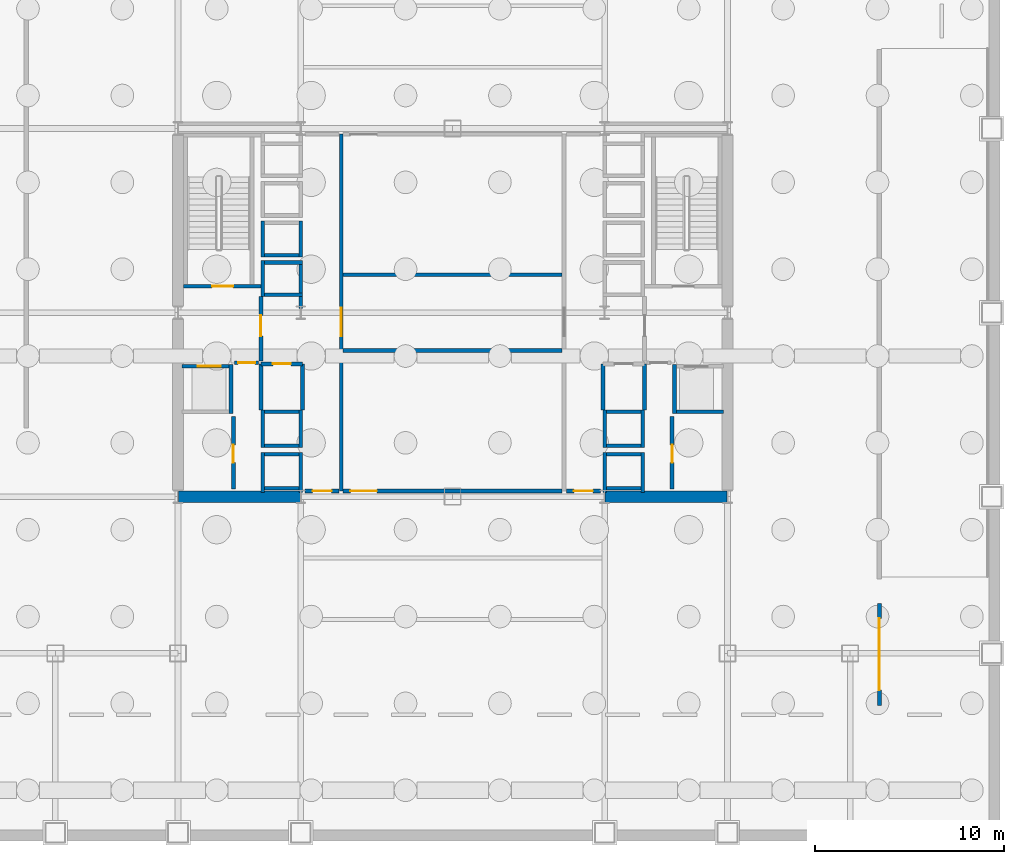
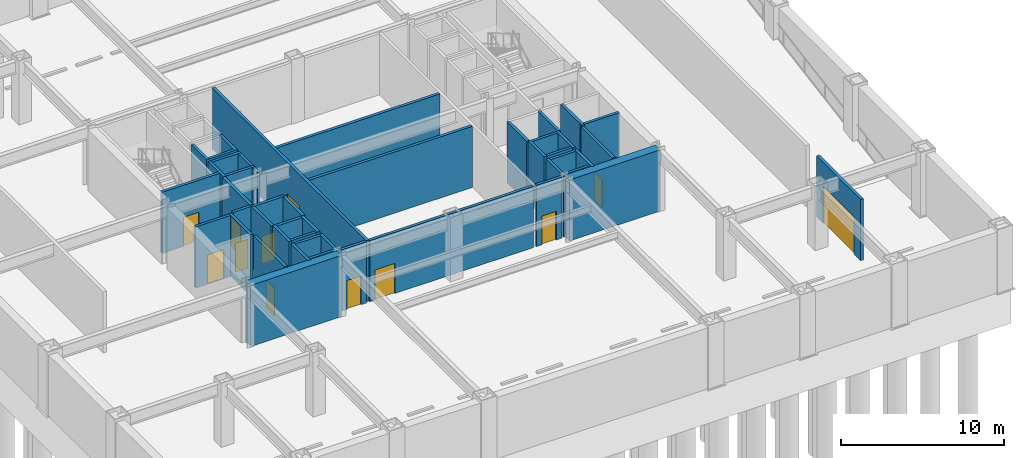
# One storey, part 3 of 8: 46 walls, 12 doors, 12 openings.
"""IFC4 building model written with IfcOpenShell, lengths in metres."""

from ifc_helpers import new_model, si_unit, direction, frame, frame_2d, origin, place, context, subcontext, project, spatial, rectangle, extrude, material, layer, layer_set, type_object, element, fill, save


model = new_model("IFC4")

# Units and contexts
model_context = context("Model", 3, precision=1e-05, world=origin(), true_north=direction((0.0, 1.0)))
body_context = subcontext(model_context, "Body", "Model", "MODEL_VIEW")
ifc_project = project(units=[si_unit("LENGTHUNIT", "METRE"), si_unit("AREAUNIT", "SQUARE_METRE"), si_unit("VOLUMEUNIT", "CUBIC_METRE"), si_unit("PLANEANGLEUNIT", "RADIAN"), si_unit("MASSUNIT", "GRAM", prefix="KILO")], contexts=[model_context])

# Site, building, storey
site_placement = place(None, origin())
site = spatial("IfcSite", under=ifc_project, at=site_placement, CompositionType="ELEMENT")
building_placement = place(site_placement, origin())
building = spatial("IfcBuilding", under=site, at=building_placement, Name="Brelmoor Portico Tower", CompositionType="ELEMENT")
storey_placement = place(building_placement, frame((0.0, 0.0, -9.60009765625)))
storey = spatial("IfcBuildingStorey", under=building, at=storey_placement, Name="B2", CompositionType="ELEMENT", Elevation=-9.60009765625)

# Walls
ifc_material_1 = material(Name="Concrete C60", Category="concrete")
ifc_layer_1 = layer(ifc_material_1, 0.60009765625)
ifc_layer_set_1 = layer_set([ifc_layer_1], Name="Concrete C60")
wall_type_1 = type_object("IfcWallType", Name="WL-CORE-600", PredefinedType="SHEAR", material=ifc_layer_set_1)
for number, where, z_axis, x_axis, name in (
    (1, (-14.530029296875, -9.75, 0.0), (0.0, 0.0, 1.0), (1.0, 0.0, 0.0), "B2 WC South Shear Wall"),
    (2, (8.070068359375, -9.75, 0.0), (0.0, 0.0, 1.0), (1.0, 0.0, 0.0), "B2 EC South Shear Wall"),
):
    element("IfcWall", number, at=place(storey_placement, frame(where, z_axis=z_axis, x_axis=x_axis)), inside=storey, type_object=wall_type_1, Name=name, PredefinedType="SHEAR", context=body_context, shape_type="SweptSolid", body=[
        extrude(rectangle(XDim=6.4599609375, YDim=0.60009765625, at=frame_2d((3.22998046875, 0.0))), origin(), (0.0, 0.0, 1.0), 4.580078125),
    ])

# Wall, opening, door
ifc_material_2 = material(Name="Double-Stud Gypsum Fire Partition", Category="gypsum")
ifc_layer_2 = layer(ifc_material_2, 0.199951171875)
ifc_layer_set_2 = layer_set([ifc_layer_2], Name="Double-Stud Gypsum Fire Partition")
wall_type_2 = type_object("IfcWallType", Name="WL-PART-200", PredefinedType="PARTITIONING", material=ifc_layer_set_2)
wall_1_placement = place(storey_placement, frame((-5.89990234375, -9.449951171875, 0.0), z_axis=(0.0, 0.0, 1.0), x_axis=(0.0, 1.0, 0.0)))
wall_1 = element("IfcWall", 3, at=wall_1_placement, inside=storey, type_object=wall_type_2, Name="B2 W Core Lobby Compartment Wall", PredefinedType="PARTITIONING", context=body_context, shape_type="SweptSolid", body=[
    extrude(rectangle(XDim=18.89990234375, YDim=0.199951171875, at=frame_2d((9.449951171875, 0.0))), origin(), (0.0, 0.0, 1.0), 4.580078125),
])
opening_1_placement = place(wall_1_placement, frame((8.199951171875, 0.0, 0.0)))
opening_1 = element("IfcOpeningElement", 4, at=opening_1_placement, cuts=wall_1, Name="Opening D-LB1", PredefinedType="OPENING", context=body_context, shape_type="SweptSolid", body=[
    extrude(rectangle(XDim=1.5, YDim=2.199951171875, at=frame_2d((0.75, 1.10009765625))), frame((0.0, 0.10986328125, 0.0), z_axis=(0.0, -1.0, 0.0), x_axis=(1.0, 0.0, 0.0)), (0.0, 0.0, 1.0), 0.219970703125),
])
ifc_material_3 = material(Name="Double-Leaf Glazed Steel Fire Door", Category="steel")
door_type_1 = type_object("IfcDoorType", Name="DR-LOBBY-1500", OperationType="NOTDEFINED", PredefinedType="DOOR", material=ifc_material_3)
door_1_placement = place(opening_1_placement, origin())
door_1 = element("IfcDoor", 5, at=door_1_placement, inside=storey, type_object=door_type_1, Name="D-0014 B2 W Lift Lobby Main Door", OperationType="DOUBLE_DOOR_SINGLE_SWING", OverallHeight=2.199951171875, OverallWidth=1.5, PredefinedType="DOOR", context=body_context, shape_type="SweptSolid", body=[
    extrude(rectangle(XDim=1.5, YDim=2.199951171875, at=frame_2d((0.75, 1.10009765625))), frame((0.0, 0.02490234375, 0.0), z_axis=(0.0, -1.0, 0.0), x_axis=(1.0, 0.0, 0.0)), (0.0, 0.0, 1.0), 0.050048828125),
])
fill(opening_1, door_1)

wall_2_placement = place(storey_placement, frame((-10.159912109375, -2.550048828125, 0.0), z_axis=(0.0, 0.0, 1.0), x_axis=(0.0, 1.0, 0.0)))
wall_2 = element("IfcWall", 6, at=wall_2_placement, inside=storey, type_object=wall_type_2, Name="B2 W Firefighting Lobby Wall", PredefinedType="PARTITIONING", context=body_context, shape_type="SweptSolid", body=[
    extrude(rectangle(XDim=3.400146484375, YDim=0.199951171875, at=frame_2d((1.7001953125, 0.0))), origin(), (0.0, 0.0, 1.0), 4.580078125),
])
opening_2_placement = place(wall_2_placement, frame((1.300048828125, 0.0, 0.0)))
opening_2 = element("IfcOpeningElement", 7, at=opening_2_placement, cuts=wall_2, Name="Opening D-FR1", PredefinedType="OPENING", context=body_context, shape_type="SweptSolid", body=[
    extrude(rectangle(XDim=1.10009765625, YDim=2.14990234375, at=frame_2d((0.550048828125, 1.074951171875))), frame((0.0, 0.10986328125, 0.0), z_axis=(0.0, -1.0, 0.0), x_axis=(1.0, 0.0, 0.0)), (0.0, 0.0, 1.0), 0.219970703125),
])
ifc_material_4 = material(Name="Painted Galvanised Steel Fire Door", Category="steel")
door_type_2 = type_object("IfcDoorType", Name="DR-FIRE-1100", OperationType="NOTDEFINED", PredefinedType="DOOR", material=ifc_material_4)
door_2_placement = place(opening_2_placement, origin())
door_2 = element("IfcDoor", 8, at=door_2_placement, inside=storey, type_object=door_type_2, Name="D-0010 B2 W Firefighting Lobby Door", OperationType="SINGLE_SWING_RIGHT", OverallHeight=2.14990234375, OverallWidth=1.10009765625, PredefinedType="DOOR", context=body_context, shape_type="SweptSolid", body=[
    extrude(rectangle(XDim=1.10009765625, YDim=2.14990234375, at=frame_2d((0.550048828125, 1.074951171875))), frame((0.0, 0.02490234375, 0.0), z_axis=(0.0, -1.0, 0.0), x_axis=(1.0, 0.0, 0.0)), (0.0, 0.0, 1.0), 0.050048828125),
])
fill(opening_2, door_2)

wall_3_placement = place(storey_placement, frame((-10.280029296875, -2.64990234375, 0.0), z_axis=(0.0, 0.0, 1.0), x_axis=(-1.0, 0.0, 0.0)))
wall_3 = element("IfcWall", 9, at=wall_3_placement, inside=storey, type_object=wall_type_2, Name="B2 W Firefighting Lobby South Wall", PredefinedType="PARTITIONING", context=body_context, shape_type="SweptSolid", body=[
    extrude(rectangle(XDim=1.27001953125, YDim=0.199951171875, at=frame_2d((0.635009765625, 0.0))), origin(), (0.0, 0.0, 1.0), 4.580078125),
])
opening_3_placement = place(wall_3_placement, frame((0.18505859375, 0.0, 0.0)))
opening_3 = element("IfcOpeningElement", 10, at=opening_3_placement, cuts=wall_3, Name="Opening D-IN1", PredefinedType="OPENING", context=body_context, shape_type="SweptSolid", body=[
    extrude(rectangle(XDim=0.89990234375, YDim=2.14990234375, at=frame_2d((0.449951171875, 1.074951171875))), frame((0.0, 0.10986328125, 0.0), z_axis=(0.0, -1.0, 0.0), x_axis=(1.0, 0.0, 0.0)), (0.0, 0.0, 1.0), 0.219970703125),
])
ifc_material_5 = material(Name="Lacquered Timber Suite Door", Category="wood")
door_type_3 = type_object("IfcDoorType", Name="DR-INT-900", OperationType="NOTDEFINED", PredefinedType="DOOR", material=ifc_material_5)
door_3_placement = place(opening_3_placement, origin())
door_3 = element("IfcDoor", 11, at=door_3_placement, inside=storey, type_object=door_type_3, Name="D-0006 B2 W Core Service Vestibule Door", OperationType="SINGLE_SWING_LEFT", OverallHeight=2.14990234375, OverallWidth=0.89990234375, PredefinedType="DOOR", context=body_context, shape_type="SweptSolid", body=[
    extrude(rectangle(XDim=0.89990234375, YDim=2.14990234375, at=frame_2d((0.449951171875, 1.074951171875))), frame((0.0, 0.02490234375, 0.0), z_axis=(0.0, -1.0, 0.0), x_axis=(1.0, 0.0, 0.0)), (0.0, 0.0, 1.0), 0.050048828125),
])
fill(opening_3, door_3)

wall_4_placement = place(storey_placement, frame((-7.9599609375, -2.719970703125, 0.0), z_axis=(0.0, 0.0, 1.0), x_axis=(-1.0, 0.0, 0.0)))
wall_4 = element("IfcWall", 12, at=wall_4_placement, inside=storey, type_object=wall_type_2, Name="B2 W Electrical Switchgear Closet Wall", PredefinedType="PARTITIONING", context=body_context, shape_type="SweptSolid", body=[
    extrude(rectangle(XDim=2.199951171875, YDim=0.199951171875, at=frame_2d((1.10009765625, 0.0))), origin(), (0.0, 0.0, 1.0), 4.580078125),
])
opening_4_placement = place(wall_4_placement, frame((0.6201171875, 0.0, 0.0)))
opening_4 = element("IfcOpeningElement", 13, at=opening_4_placement, cuts=wall_4, Name="Opening D-FR4", PredefinedType="OPENING", context=body_context, shape_type="SweptSolid", body=[
    extrude(rectangle(XDim=0.949951171875, YDim=2.10009765625, at=frame_2d((0.47509765625, 1.050048828125))), frame((0.0, 0.10986328125, 0.0), z_axis=(0.0, -1.0, 0.0), x_axis=(1.0, 0.0, 0.0)), (0.0, 0.0, 1.0), 0.219970703125),
])
ifc_material_6 = material(Name="Painted Galvanised Steel Riser Door", Category="steel")
door_type_4 = type_object("IfcDoorType", Name="DR-FIRE-950", OperationType="NOTDEFINED", PredefinedType="DOOR", material=ifc_material_6)
door_4_placement = place(opening_4_placement, origin())
door_4 = element("IfcDoor", 14, at=door_4_placement, inside=storey, type_object=door_type_4, Name="D-0008 B2 W Electrical Switchgear Closet Door", OperationType="SINGLE_SWING_RIGHT", OverallHeight=2.10009765625, OverallWidth=0.949951171875, PredefinedType="DOOR", context=body_context, shape_type="SweptSolid", body=[
    extrude(rectangle(XDim=0.949951171875, YDim=2.10009765625, at=frame_2d((0.47509765625, 1.050048828125))), frame((0.0, 0.02490234375, 0.0), z_axis=(0.0, -1.0, 0.0), x_axis=(1.0, 0.0, 0.0)), (0.0, 0.0, 1.0), 0.050048828125),
])
fill(opening_4, door_4)

# Walls
for number, where, z_axis, x_axis, name in (
    (15, (-7.9599609375, -5.159912109375, 0.0), (0.0, 0.0, 1.0), (0.0, 1.0, 0.0), "B2 W Electrical Switchgear Closet Inner Wall"),
    (16, (-10.159912109375, -5.159912109375, 0.0), (0.0, 0.0, 1.0), (0.0, 1.0, 0.0), "B2 W Electrical Switchgear Closet Outer Wall"),
):
    element("IfcWall", number, at=place(storey_placement, frame(where, z_axis=z_axis, x_axis=x_axis)), inside=storey, type_object=wall_type_2, Name=name, PredefinedType="PARTITIONING", context=body_context, shape_type="SweptSolid", body=[
        extrude(rectangle(XDim=2.43994140625, YDim=0.199951171875, at=frame_2d((1.219970703125, 0.0))), origin(), (0.0, 0.0, 1.0), 4.580078125),
    ])

# Wall, opening, door
wall_5_placement = place(storey_placement, frame((-11.6201171875, -9.35009765625, 0.0), z_axis=(0.0, 0.0, 1.0), x_axis=(0.0, 1.0, 0.0)))
wall_5 = element("IfcWall", 17, at=wall_5_placement, inside=storey, type_object=wall_type_2, Name="B2 W Mechanical Equipment Closet Wall", PredefinedType="PARTITIONING", context=body_context, shape_type="SweptSolid", body=[
    extrude(rectangle(XDim=3.85009765625, YDim=0.199951171875, at=frame_2d((1.925048828125, 0.0))), origin(), (0.0, 0.0, 1.0), 4.580078125),
])
opening_5_placement = place(wall_5_placement, frame((1.39990234375, 0.0, 0.0)))
opening_5 = element("IfcOpeningElement", 18, at=opening_5_placement, cuts=wall_5, Name="Opening D-FR4", PredefinedType="OPENING", context=body_context, shape_type="SweptSolid", body=[
    extrude(rectangle(XDim=0.949951171875, YDim=2.10009765625, at=frame_2d((0.47509765625, 1.050048828125))), frame((0.0, 0.10986328125, 0.0), z_axis=(0.0, -1.0, 0.0), x_axis=(1.0, 0.0, 0.0)), (0.0, 0.0, 1.0), 0.219970703125),
])
door_5_placement = place(opening_5_placement, origin())
door_5 = element("IfcDoor", 19, at=door_5_placement, inside=storey, type_object=door_type_4, Name="D-0004 B2 W Mechanical Equipment Closet Door", OperationType="SINGLE_SWING_LEFT", OverallHeight=2.10009765625, OverallWidth=0.949951171875, PredefinedType="DOOR", context=body_context, shape_type="SweptSolid", body=[
    extrude(rectangle(XDim=0.949951171875, YDim=2.10009765625, at=frame_2d((0.47509765625, 1.050048828125))), frame((0.0, 0.02490234375, 0.0), z_axis=(0.0, -1.0, 0.0), x_axis=(1.0, 0.0, 0.0)), (0.0, 0.0, 1.0), 0.050048828125),
])
fill(opening_5, door_5)

# Walls
for number, where, z_axis, x_axis, name in (
    (20, (7.9599609375, -5.159912109375, 0.0), (0.0, 0.0, 1.0), (0.0, 1.0, 0.0), "B2 E Electrical Switchgear Closet Inner Wall"),
    (21, (10.159912109375, -5.159912109375, 0.0), (0.0, 0.0, 1.0), (0.0, 1.0, 0.0), "B2 E Electrical Switchgear Closet Outer Wall"),
):
    element("IfcWall", number, at=place(storey_placement, frame(where, z_axis=z_axis, x_axis=x_axis)), inside=storey, type_object=wall_type_2, Name=name, PredefinedType="PARTITIONING", context=body_context, shape_type="SweptSolid", body=[
        extrude(rectangle(XDim=2.43994140625, YDim=0.199951171875, at=frame_2d((1.219970703125, 0.0))), origin(), (0.0, 0.0, 1.0), 4.580078125),
    ])

# Wall, opening, door
wall_6_placement = place(storey_placement, frame((11.6201171875, -9.35009765625, 0.0), z_axis=(0.0, 0.0, 1.0), x_axis=(0.0, 1.0, 0.0)))
wall_6 = element("IfcWall", 22, at=wall_6_placement, inside=storey, type_object=wall_type_2, Name="B2 E Mechanical Equipment Closet Wall", PredefinedType="PARTITIONING", context=body_context, shape_type="SweptSolid", body=[
    extrude(rectangle(XDim=3.85009765625, YDim=0.199951171875, at=frame_2d((1.925048828125, 0.0))), origin(), (0.0, 0.0, 1.0), 4.580078125),
])
opening_6_placement = place(wall_6_placement, frame((1.39990234375, 0.0, 0.0)))
opening_6 = element("IfcOpeningElement", 23, at=opening_6_placement, cuts=wall_6, Name="Opening D-FR4", PredefinedType="OPENING", context=body_context, shape_type="SweptSolid", body=[
    extrude(rectangle(XDim=0.949951171875, YDim=2.10009765625, at=frame_2d((0.47509765625, 1.050048828125))), frame((0.0, 0.10986328125, 0.0), z_axis=(0.0, -1.0, 0.0), x_axis=(1.0, 0.0, 0.0)), (0.0, 0.0, 1.0), 0.219970703125),
])
door_6_placement = place(opening_6_placement, origin())
door_6 = element("IfcDoor", 24, at=door_6_placement, inside=storey, type_object=door_type_4, Name="D-0003 B2 E Mechanical Equipment Closet Door", OperationType="SINGLE_SWING_LEFT", OverallHeight=2.10009765625, OverallWidth=0.949951171875, PredefinedType="DOOR", context=body_context, shape_type="SweptSolid", body=[
    extrude(rectangle(XDim=0.949951171875, YDim=2.10009765625, at=frame_2d((0.47509765625, 1.050048828125))), frame((0.0, 0.02490234375, 0.0), z_axis=(0.0, -1.0, 0.0), x_axis=(1.0, 0.0, 0.0)), (0.0, 0.0, 1.0), 0.050048828125),
])
fill(opening_6, door_6)

wall_7_placement = place(storey_placement, frame((-7.820068359375, -9.449951171875, 0.0), z_axis=(0.0, 0.0, 1.0), x_axis=(1.0, 0.0, 0.0)))
wall_7 = element("IfcWall", 25, at=wall_7_placement, inside=storey, type_object=wall_type_2, Name="B2 W Lift Lobby Car Park Door Wall", PredefinedType="PARTITIONING", context=body_context, shape_type="SweptSolid", body=[
    extrude(rectangle(XDim=1.800048828125, YDim=0.199951171875, at=frame_2d((0.89990234375, 0.0))), origin(), (0.0, 0.0, 1.0), 4.580078125),
])
opening_7_placement = place(wall_7_placement, frame((0.39990234375, 0.0, 0.0)))
opening_7 = element("IfcOpeningElement", 26, at=opening_7_placement, cuts=wall_7, Name="Opening D-FR2", PredefinedType="OPENING", context=body_context, shape_type="SweptSolid", body=[
    extrude(rectangle(XDim=1.0, YDim=2.14990234375, at=frame_2d((0.5, 1.074951171875))), frame((0.0, 0.10986328125, 0.0), z_axis=(0.0, -1.0, 0.0), x_axis=(1.0, 0.0, 0.0)), (0.0, 0.0, 1.0), 0.219970703125),
])
door_type_5 = type_object("IfcDoorType", Name="DR-FIRE-1000", OperationType="NOTDEFINED", PredefinedType="DOOR", material=ifc_material_4)
door_7_placement = place(opening_7_placement, origin())
door_7 = element("IfcDoor", 27, at=door_7_placement, inside=storey, type_object=door_type_5, Name="D-0012 B2 W Car Park Lobby Door", OperationType="SINGLE_SWING_RIGHT", OverallHeight=2.14990234375, OverallWidth=1.0, PredefinedType="DOOR", context=body_context, shape_type="SweptSolid", body=[
    extrude(rectangle(XDim=1.0, YDim=2.14990234375, at=frame_2d((0.5, 1.074951171875))), frame((0.0, 0.02490234375, 0.0), z_axis=(0.0, -1.0, 0.0), x_axis=(1.0, 0.0, 0.0)), (0.0, 0.0, 1.0), 0.050048828125),
])
fill(opening_7, door_7)

wall_8_placement = place(storey_placement, frame((6.02001953125, -9.449951171875, 0.0), z_axis=(0.0, 0.0, 1.0), x_axis=(1.0, 0.0, 0.0)))
wall_8 = element("IfcWall", 28, at=wall_8_placement, inside=storey, type_object=wall_type_2, Name="B2 E Lift Lobby Car Park Door Wall", PredefinedType="PARTITIONING", context=body_context, shape_type="SweptSolid", body=[
    extrude(rectangle(XDim=1.800048828125, YDim=0.199951171875, at=frame_2d((0.89990234375, 0.0))), origin(), (0.0, 0.0, 1.0), 4.580078125),
])
opening_8_placement = place(wall_8_placement, frame((0.39990234375, 0.0, 0.0)))
opening_8 = element("IfcOpeningElement", 29, at=opening_8_placement, cuts=wall_8, Name="Opening D-FR2", PredefinedType="OPENING", context=body_context, shape_type="SweptSolid", body=[
    extrude(rectangle(XDim=1.0, YDim=2.14990234375, at=frame_2d((0.5, 1.074951171875))), frame((0.0, 0.10986328125, 0.0), z_axis=(0.0, -1.0, 0.0), x_axis=(1.0, 0.0, 0.0)), (0.0, 0.0, 1.0), 0.219970703125),
])
door_8_placement = place(opening_8_placement, origin())
door_8 = element("IfcDoor", 30, at=door_8_placement, inside=storey, type_object=door_type_5, Name="D-0011 B2 E Car Park Lobby Door", OperationType="SINGLE_SWING_LEFT", OverallHeight=2.14990234375, OverallWidth=1.0, PredefinedType="DOOR", context=body_context, shape_type="SweptSolid", body=[
    extrude(rectangle(XDim=1.0, YDim=2.14990234375, at=frame_2d((0.5, 1.074951171875))), frame((0.0, 0.02490234375, 0.0), z_axis=(0.0, -1.0, 0.0), x_axis=(1.0, 0.0, 0.0)), (0.0, 0.0, 1.0), 0.050048828125),
])
fill(opening_8, door_8)

wall_9_placement = place(storey_placement, frame((-5.800048828125, -9.449951171875, 0.0), z_axis=(0.0, 0.0, 1.0), x_axis=(1.0, 0.0, 0.0)))
wall_9 = element("IfcWall", 31, at=wall_9_placement, inside=storey, type_object=wall_type_2, Name="B2 Pump Room Loop Wall", PredefinedType="PARTITIONING", context=body_context, shape_type="SweptSolid", body=[
    extrude(rectangle(XDim=11.60009765625, YDim=0.199951171875, at=frame_2d((5.800048828125, 0.0))), origin(), (0.0, 0.0, 1.0), 4.580078125),
])
opening_9_placement = place(wall_9_placement, frame((0.3798828125, 0.0, 0.0)))
opening_9 = element("IfcOpeningElement", 32, at=opening_9_placement, cuts=wall_9, Name="Opening D-PL1", PredefinedType="OPENING", context=body_context, shape_type="SweptSolid", body=[
    extrude(rectangle(XDim=1.39990234375, YDim=2.25, at=frame_2d((0.699951171875, 1.125))), frame((0.0, 0.10986328125, 0.0), z_axis=(0.0, -1.0, 0.0), x_axis=(1.0, 0.0, 0.0)), (0.0, 0.0, 1.0), 0.219970703125),
])
ifc_material_7 = material(Name="Double-Leaf Acoustic Steel Plant Door", Category="steel")
door_type_6 = type_object("IfcDoorType", Name="DR-PLANT-1400", OperationType="NOTDEFINED", PredefinedType="DOOR", material=ifc_material_7)
door_9_placement = place(opening_9_placement, origin())
door_9 = element("IfcDoor", 33, at=door_9_placement, inside=storey, type_object=door_type_6, Name="D-0002 B2 Pump Plant Door", OperationType="DOUBLE_DOOR_SINGLE_SWING", OverallHeight=2.25, OverallWidth=1.39990234375, PredefinedType="DOOR", context=body_context, shape_type="SweptSolid", body=[
    extrude(rectangle(XDim=1.39990234375, YDim=2.25, at=frame_2d((0.699951171875, 1.125))), frame((0.0, 0.02490234375, 0.0), z_axis=(0.0, -1.0, 0.0), x_axis=(1.0, 0.0, 0.0)), (0.0, 0.0, 1.0), 0.050048828125),
])
fill(opening_9, door_9)

# Walls
for number, where, z_axis, x_axis, name in (
    (34, (-5.800048828125, -2.0, 0.0), (0.0, 0.0, 1.0), (1.0, 0.0, 0.0), "B2 Pump Room Inner Wall"),
    (35, (-5.800048828125, 2.0, 0.0), (0.0, 0.0, 1.0), (1.0, 0.0, 0.0), "B2 Switchroom Inner Wall"),
):
    element("IfcWall", number, at=place(storey_placement, frame(where, z_axis=z_axis, x_axis=x_axis)), inside=storey, type_object=wall_type_2, Name=name, PredefinedType="PARTITIONING", context=body_context, shape_type="SweptSolid", body=[
        extrude(rectangle(XDim=11.60009765625, YDim=0.199951171875, at=frame_2d((5.800048828125, 0.0))), origin(), (0.0, 0.0, 1.0), 4.580078125),
    ])

# Wall, opening, door
wall_10_placement = place(storey_placement, frame((22.60009765625, -20.800048828125, 0.0), z_axis=(0.0, 0.0, 1.0), x_axis=(0.0, 1.0, 0.0)))
wall_10 = element("IfcWall", 36, at=wall_10_placement, inside=storey, type_object=wall_type_2, Name="B2 Ramp Fire Roller Shutter Wall VG-02", PredefinedType="PARTITIONING", context=body_context, shape_type="SweptSolid", body=[
    extrude(rectangle(XDim=5.400146484375, YDim=0.199951171875, at=frame_2d((2.7001953125, 0.0))), origin(), (0.0, 0.0, 1.0), 4.580078125),
])
opening_10_placement = place(wall_10_placement, frame((0.800048828125, 0.0, 0.0)))
opening_10 = element("IfcOpeningElement", 37, at=opening_10_placement, cuts=wall_10, Name="Opening VG-02", PredefinedType="OPENING", context=body_context, shape_type="SweptSolid", body=[
    extrude(rectangle(XDim=3.800048828125, YDim=2.800048828125, at=frame_2d((1.89990234375, 1.39990234375))), frame((0.0, 0.10986328125, 0.0), z_axis=(0.0, -1.0, 0.0), x_axis=(1.0, 0.0, 0.0)), (0.0, 0.0, 1.0), 0.219970703125),
])
ifc_material_8 = material(Name="Insulated Fire-Rated Steel Roller Shutter Gate", Category="steel")
door_type_7 = type_object("IfcDoorType", Name="DR-GATE-3800", OperationType="NOTDEFINED", PredefinedType="GATE", material=ifc_material_8)
door_10_placement = place(opening_10_placement, origin())
door_10 = element("IfcDoor", 38, at=door_10_placement, inside=storey, type_object=door_type_7, Name="D-0019 B2 Car Park Fire Roller Shutter Gate VG-02", OperationType="ROLLINGUP", OverallHeight=2.800048828125, OverallWidth=3.800048828125, PredefinedType="GATE", context=body_context, shape_type="SweptSolid", body=[
    extrude(rectangle(XDim=3.800048828125, YDim=2.800048828125, at=frame_2d((1.89990234375, 1.39990234375))), frame((0.0, 0.02490234375, 0.0), z_axis=(0.0, -1.0, 0.0), x_axis=(1.0, 0.0, 0.0)), (0.0, 0.0, 1.0), 0.050048828125),
])
fill(opening_10, door_10)

# Walls
ifc_material_9 = material(Name="Precast Concrete C40", Category="concrete")
ifc_layer_3 = layer(ifc_material_9, 0.18994140625)
ifc_layer_set_3 = layer_set([ifc_layer_3], Name="Precast Concrete C40")
wall_type_3 = type_object("IfcWallType", Name="WL-SHAFT-180", PredefinedType="SOLIDWALL", material=ifc_layer_set_3)
wall_11_placement = place(storey_placement, frame((-8.044921875, 0.2099609375, 0.0), z_axis=(0.0, 0.0, 1.0), x_axis=(0.0, 1.0, 0.0)))
element("IfcWall", 39, at=wall_11_placement, inside=storey, type_object=wall_type_3, Name="B2 Lift PL1 Hoistway Front Wall", PredefinedType="SOLIDWALL", context=body_context, shape_type="SweptSolid", body=[
    extrude(rectangle(XDim=2.5400390625, YDim=0.18994140625, at=frame_2d((1.27001953125, 0.0))), origin(), (0.0, 0.0, 1.0), 4.580078125),
])
wall_12_placement = place(storey_placement, frame((-10.054931640625, 0.85009765625, 0.0), z_axis=(0.0, 0.0, 1.0), x_axis=(0.0, 1.0, 0.0)))
element("IfcWall", 40, at=wall_12_placement, inside=storey, type_object=wall_type_3, Name="B2 Lift PL1 Hoistway Back Wall", PredefinedType="SOLIDWALL", context=body_context, shape_type="SweptSolid", body=[
    extrude(rectangle(XDim=1.89990234375, YDim=0.18994140625, at=frame_2d((0.949951171875, 0.0))), origin(), (0.0, 0.0, 1.0), 4.580078125),
])
for number, where, z_axis, x_axis, name in (
    (41, (-10.14990234375, 2.655029296875, 0.0), (0.0, 0.0, 1.0), (1.0, 0.0, 0.0), "B2 Lift PL1 Hoistway North Wall"),
    (42, (-10.14990234375, 0.945068359375, 0.0), (0.0, 0.0, 1.0), (1.0, 0.0, 0.0), "B2 Lift PL1 Hoistway South Wall"),
):
    element("IfcWall", number, at=place(storey_placement, frame(where, z_axis=z_axis, x_axis=x_axis)), inside=storey, type_object=wall_type_3, Name=name, PredefinedType="SOLIDWALL", context=body_context, shape_type="SweptSolid", body=[
        extrude(rectangle(XDim=2.199951171875, YDim=0.18994140625, at=frame_2d((1.10009765625, 0.0))), origin(), (0.0, 0.0, 1.0), 4.580078125),
    ])
for number, where, z_axis, x_axis, name in (
    (43, (-8.044921875, 2.949951171875, 0.0), (0.0, 0.0, 1.0), (0.0, 1.0, 0.0), "B2 Lift PL2 Hoistway Front Wall"),
    (44, (-10.054931640625, 2.949951171875, 0.0), (0.0, 0.0, 1.0), (0.0, 1.0, 0.0), "B2 Lift PL2 Hoistway Back Wall"),
):
    element("IfcWall", number, at=place(storey_placement, frame(where, z_axis=z_axis, x_axis=x_axis)), inside=storey, type_object=wall_type_3, Name=name, PredefinedType="SOLIDWALL", context=body_context, shape_type="SweptSolid", body=[
        extrude(rectangle(XDim=1.900146484375, YDim=0.18994140625, at=frame_2d((0.9501953125, 0.0))), origin(), (0.0, 0.0, 1.0), 4.580078125),
    ])
wall_13_placement = place(storey_placement, frame((-10.14990234375, 3.044921875, 0.0), z_axis=(0.0, 0.0, 1.0), x_axis=(1.0, 0.0, 0.0)))
element("IfcWall", 45, at=wall_13_placement, inside=storey, type_object=wall_type_3, Name="B2 Lift PL2 Hoistway South Wall", PredefinedType="SOLIDWALL", context=body_context, shape_type="SweptSolid", body=[
    extrude(rectangle(XDim=2.199951171875, YDim=0.18994140625, at=frame_2d((1.10009765625, 0.0))), origin(), (0.0, 0.0, 1.0), 4.580078125),
])
for number, where, z_axis, x_axis, name in (
    (46, (-8.044921875, -9.52001953125, 0.0), (0.0, 0.0, 1.0), (0.0, 1.0, 0.0), "B2 Lift PH1 Hoistway Front Wall"),
    (47, (-10.054931640625, -9.52001953125, 0.0), (0.0, 0.0, 1.0), (0.0, 1.0, 0.0), "B2 Lift PH1 Hoistway Back Wall"),
):
    element("IfcWall", number, at=place(storey_placement, frame(where, z_axis=z_axis, x_axis=x_axis)), inside=storey, type_object=wall_type_3, Name=name, PredefinedType="SOLIDWALL", context=body_context, shape_type="SweptSolid", body=[
        extrude(rectangle(XDim=2.1201171875, YDim=0.18994140625, at=frame_2d((1.06005859375, 0.0))), origin(), (0.0, 0.0, 1.0), 4.580078125),
    ])
for number, where, z_axis, x_axis, name in (
    (48, (-10.14990234375, -7.4951171875, 0.0), (0.0, 0.0, 1.0), (1.0, 0.0, 0.0), "B2 Lift PH1 Hoistway North Wall"),
    (49, (-10.14990234375, -9.304931640625, 0.0), (0.0, 0.0, 1.0), (1.0, 0.0, 0.0), "B2 Lift PH1 Hoistway South Wall"),
):
    element("IfcWall", number, at=place(storey_placement, frame(where, z_axis=z_axis, x_axis=x_axis)), inside=storey, type_object=wall_type_3, Name=name, PredefinedType="SOLIDWALL", context=body_context, shape_type="SweptSolid", body=[
        extrude(rectangle(XDim=2.199951171875, YDim=0.18994140625, at=frame_2d((1.10009765625, 0.0))), origin(), (0.0, 0.0, 1.0), 4.580078125),
    ])
for number, where, z_axis, x_axis, name in (
    (50, (-8.044921875, -7.14990234375, 0.0), (0.0, 0.0, 1.0), (0.0, 1.0, 0.0), "B2 Lift PH2 Hoistway Front Wall"),
    (51, (-10.054931640625, -7.14990234375, 0.0), (0.0, 0.0, 1.0), (0.0, 1.0, 0.0), "B2 Lift PH2 Hoistway Back Wall"),
):
    element("IfcWall", number, at=place(storey_placement, frame(where, z_axis=z_axis, x_axis=x_axis)), inside=storey, type_object=wall_type_3, Name=name, PredefinedType="SOLIDWALL", context=body_context, shape_type="SweptSolid", body=[
        extrude(rectangle(XDim=2.0, YDim=0.18994140625, at=frame_2d((1.0, 0.0))), origin(), (0.0, 0.0, 1.0), 4.580078125),
    ])
for number, where, z_axis, x_axis, name in (
    (52, (-10.14990234375, -5.2451171875, 0.0), (0.0, 0.0, 1.0), (1.0, 0.0, 0.0), "B2 Lift PH2 Hoistway North Wall"),
    (53, (-10.14990234375, -7.054931640625, 0.0), (0.0, 0.0, 1.0), (1.0, 0.0, 0.0), "B2 Lift PH2 Hoistway South Wall"),
):
    element("IfcWall", number, at=place(storey_placement, frame(where, z_axis=z_axis, x_axis=x_axis)), inside=storey, type_object=wall_type_3, Name=name, PredefinedType="SOLIDWALL", context=body_context, shape_type="SweptSolid", body=[
        extrude(rectangle(XDim=2.199951171875, YDim=0.18994140625, at=frame_2d((1.10009765625, 0.0))), origin(), (0.0, 0.0, 1.0), 4.580078125),
    ])
for number, where, z_axis, x_axis, name in (
    (54, (8.044921875, -9.52001953125, 0.0), (0.0, 0.0, 1.0), (0.0, 1.0, 0.0), "B2 Lift PH3 Hoistway Front Wall"),
    (55, (10.054931640625, -9.52001953125, 0.0), (0.0, 0.0, 1.0), (0.0, 1.0, 0.0), "B2 Lift PH3 Hoistway Back Wall"),
):
    element("IfcWall", number, at=place(storey_placement, frame(where, z_axis=z_axis, x_axis=x_axis)), inside=storey, type_object=wall_type_3, Name=name, PredefinedType="SOLIDWALL", context=body_context, shape_type="SweptSolid", body=[
        extrude(rectangle(XDim=2.1201171875, YDim=0.18994140625, at=frame_2d((1.06005859375, 0.0))), origin(), (0.0, 0.0, 1.0), 4.580078125),
    ])
for number, where, z_axis, x_axis, name in (
    (56, (7.949951171875, -7.4951171875, 0.0), (0.0, 0.0, 1.0), (1.0, 0.0, 0.0), "B2 Lift PH3 Hoistway North Wall"),
    (57, (7.949951171875, -9.304931640625, 0.0), (0.0, 0.0, 1.0), (1.0, 0.0, 0.0), "B2 Lift PH3 Hoistway South Wall"),
):
    element("IfcWall", number, at=place(storey_placement, frame(where, z_axis=z_axis, x_axis=x_axis)), inside=storey, type_object=wall_type_3, Name=name, PredefinedType="SOLIDWALL", context=body_context, shape_type="SweptSolid", body=[
        extrude(rectangle(XDim=2.199951171875, YDim=0.18994140625, at=frame_2d((1.10009765625, 0.0))), origin(), (0.0, 0.0, 1.0), 4.580078125),
    ])
for number, where, z_axis, x_axis, name in (
    (58, (8.044921875, -7.14990234375, 0.0), (0.0, 0.0, 1.0), (0.0, 1.0, 0.0), "B2 Lift PH4 Hoistway Front Wall"),
    (59, (10.054931640625, -7.14990234375, 0.0), (0.0, 0.0, 1.0), (0.0, 1.0, 0.0), "B2 Lift PH4 Hoistway Back Wall"),
):
    element("IfcWall", number, at=place(storey_placement, frame(where, z_axis=z_axis, x_axis=x_axis)), inside=storey, type_object=wall_type_3, Name=name, PredefinedType="SOLIDWALL", context=body_context, shape_type="SweptSolid", body=[
        extrude(rectangle(XDim=2.0, YDim=0.18994140625, at=frame_2d((1.0, 0.0))), origin(), (0.0, 0.0, 1.0), 4.580078125),
    ])
for number, where, z_axis, x_axis, name in (
    (60, (7.949951171875, -5.2451171875, 0.0), (0.0, 0.0, 1.0), (1.0, 0.0, 0.0), "B2 Lift PH4 Hoistway North Wall"),
    (61, (7.949951171875, -7.054931640625, 0.0), (0.0, 0.0, 1.0), (1.0, 0.0, 0.0), "B2 Lift PH4 Hoistway South Wall"),
):
    element("IfcWall", number, at=place(storey_placement, frame(where, z_axis=z_axis, x_axis=x_axis)), inside=storey, type_object=wall_type_3, Name=name, PredefinedType="SOLIDWALL", context=body_context, shape_type="SweptSolid", body=[
        extrude(rectangle(XDim=2.199951171875, YDim=0.18994140625, at=frame_2d((1.10009765625, 0.0))), origin(), (0.0, 0.0, 1.0), 4.580078125),
    ])

# Wall, opening, door
wall_14_placement = place(storey_placement, frame((-14.330078125, -2.844970703125, 0.0), z_axis=(0.0, 0.0, 1.0), x_axis=(1.0, 0.0, 0.0)))
wall_14 = element("IfcWall", 62, at=wall_14_placement, inside=storey, type_object=wall_type_3, Name="B2 Lift FF1 Hoistway Front Wall", PredefinedType="SOLIDWALL", context=body_context, shape_type="SweptSolid", body=[
    extrude(rectangle(XDim=2.68017578125, YDim=0.18994140625, at=frame_2d((1.340087890625, 0.0))), origin(), (0.0, 0.0, 1.0), 4.580078125),
])
opening_11_placement = place(wall_14_placement, frame((0.830078125, 0.0, 0.0)))
opening_11 = element("IfcOpeningElement", 63, at=opening_11_placement, cuts=wall_14, Name="Opening LD-02", PredefinedType="OPENING", context=body_context, shape_type="SweptSolid", body=[
    extrude(rectangle(XDim=1.199951171875, YDim=2.199951171875, at=frame_2d((0.60009765625, 1.10009765625))), frame((0.0, 0.10498046875, 0.0), z_axis=(0.0, -1.0, 0.0), x_axis=(1.0, 0.0, 0.0)), (0.0, 0.0, 1.0), 0.2099609375),
])
ifc_material_10 = material(Name="Brushed Stainless Steel Firefighting Lift Door", Category="steel")
door_type_8 = type_object("IfcDoorType", Name="DR-LIFT-1200", OperationType="NOTDEFINED", PredefinedType="DOOR", material=ifc_material_10)
door_11_placement = place(opening_11_placement, origin())
door_11 = element("IfcDoor", 64, at=door_11_placement, inside=storey, type_object=door_type_8, Name="D-0020 B2 Lift FF1 Sliding Landing Door", OperationType="SLIDING_TO_LEFT", OverallHeight=2.199951171875, OverallWidth=1.199951171875, PredefinedType="DOOR", context=body_context, shape_type="SweptSolid", body=[
    extrude(rectangle(XDim=1.199951171875, YDim=2.199951171875, at=frame_2d((0.60009765625, 1.10009765625))), frame((0.0, 0.02490234375, 0.0), z_axis=(0.0, -1.0, 0.0), x_axis=(1.0, 0.0, 0.0)), (0.0, 0.0, 1.0), 0.050048828125),
])
fill(opening_11, door_11)

# Walls
wall_15_placement = place(storey_placement, frame((-11.7451171875, -5.35009765625, 0.0), z_axis=(0.0, 0.0, 1.0), x_axis=(0.0, 1.0, 0.0)))
element("IfcWall", 65, at=wall_15_placement, inside=storey, type_object=wall_type_3, Name="B2 Firefighting Lift FF1 Inner Wall", PredefinedType="SOLIDWALL", context=body_context, shape_type="SweptSolid", body=[
    extrude(rectangle(XDim=2.60009765625, YDim=0.18994140625, at=frame_2d((1.300048828125, 0.0))), origin(), (0.0, 0.0, 1.0), 4.580078125),
])
wall_16_placement = place(storey_placement, frame((11.64990234375, -5.2548828125, 0.0), z_axis=(0.0, 0.0, 1.0), x_axis=(1.0, 0.0, 0.0)))
element("IfcWall", 66, at=wall_16_placement, inside=storey, type_object=wall_type_3, Name="B2 Firefighting Lift FF2 South Wall", PredefinedType="SOLIDWALL", context=body_context, shape_type="SweptSolid", body=[
    extrude(rectangle(XDim=2.68017578125, YDim=0.18994140625, at=frame_2d((1.340087890625, 0.0))), origin(), (0.0, 0.0, 1.0), 4.580078125),
])
wall_17_placement = place(storey_placement, frame((11.7451171875, -5.35009765625, 0.0), z_axis=(0.0, 0.0, 1.0), x_axis=(0.0, 1.0, 0.0)))
element("IfcWall", 67, at=wall_17_placement, inside=storey, type_object=wall_type_3, Name="B2 Firefighting Lift FF2 Inner Wall", PredefinedType="SOLIDWALL", context=body_context, shape_type="SweptSolid", body=[
    extrude(rectangle(XDim=2.60009765625, YDim=0.18994140625, at=frame_2d((1.300048828125, 0.0))), origin(), (0.0, 0.0, 1.0), 4.580078125),
])

# Wall, opening, door
ifc_material_11 = material(Name="Concrete C40", Category="concrete")
ifc_layer_4 = layer(ifc_material_11, 0.199951171875)
ifc_layer_set_4 = layer_set([ifc_layer_4], Name="Concrete C40")
wall_type_4 = type_object("IfcWallType", Name="WL-SHAFT-RC200", PredefinedType="SOLIDWALL", material=ifc_layer_set_4)
wall_18_placement = place(storey_placement, frame((-14.25, 1.39990234375, 0.0), z_axis=(0.0, 0.0, 1.0), x_axis=(1.0, 0.0, 0.0)))
wall_18 = element("IfcWall", 68, at=wall_18_placement, inside=storey, type_object=wall_type_4, Name="B2 ST-W Structural Stair Wall S", PredefinedType="SOLIDWALL", context=body_context, shape_type="SweptSolid", body=[
    extrude(rectangle(XDim=4.10009765625, YDim=0.199951171875, at=frame_2d((2.050048828125, 0.0))), origin(), (0.0, 0.0, 1.0), 4.580078125),
])
opening_12_placement = place(wall_18_placement, frame((1.5, 0.0, 0.0)))
opening_12 = element("IfcOpeningElement", 69, at=opening_12_placement, cuts=wall_18, Name="Opening D-ST1", PredefinedType="OPENING", context=body_context, shape_type="SweptSolid", body=[
    extrude(rectangle(XDim=1.1201171875, YDim=2.179931640625, at=frame_2d((0.56005859375, 1.08984375))), frame((0.0, 0.10986328125, 0.0), z_axis=(0.0, -1.0, 0.0), x_axis=(1.0, 0.0, 0.0)), (0.0, 0.0, 1.0), 0.219970703125),
])
door_type_9 = type_object("IfcDoorType", Name="DR-STAIR-1100", OperationType="NOTDEFINED", PredefinedType="DOOR", material=ifc_material_4)
door_12_placement = place(opening_12_placement, origin())
door_12 = element("IfcDoor", 70, at=door_12_placement, inside=storey, type_object=door_type_9, Name="D-0018 B2 ST-W Protected Exit Stair Door", OperationType="SINGLE_SWING_LEFT", OverallHeight=2.179931640625, OverallWidth=1.1201171875, PredefinedType="DOOR", context=body_context, shape_type="SweptSolid", body=[
    extrude(rectangle(XDim=1.1201171875, YDim=2.179931640625, at=frame_2d((0.56005859375, 1.08984375))), frame((0.0, 0.02490234375, 0.0), z_axis=(0.0, -1.0, 0.0), x_axis=(1.0, 0.0, 0.0)), (0.0, 0.0, 1.0), 0.050048828125),
])
fill(opening_12, door_12)

save(model, "model.ifc")
